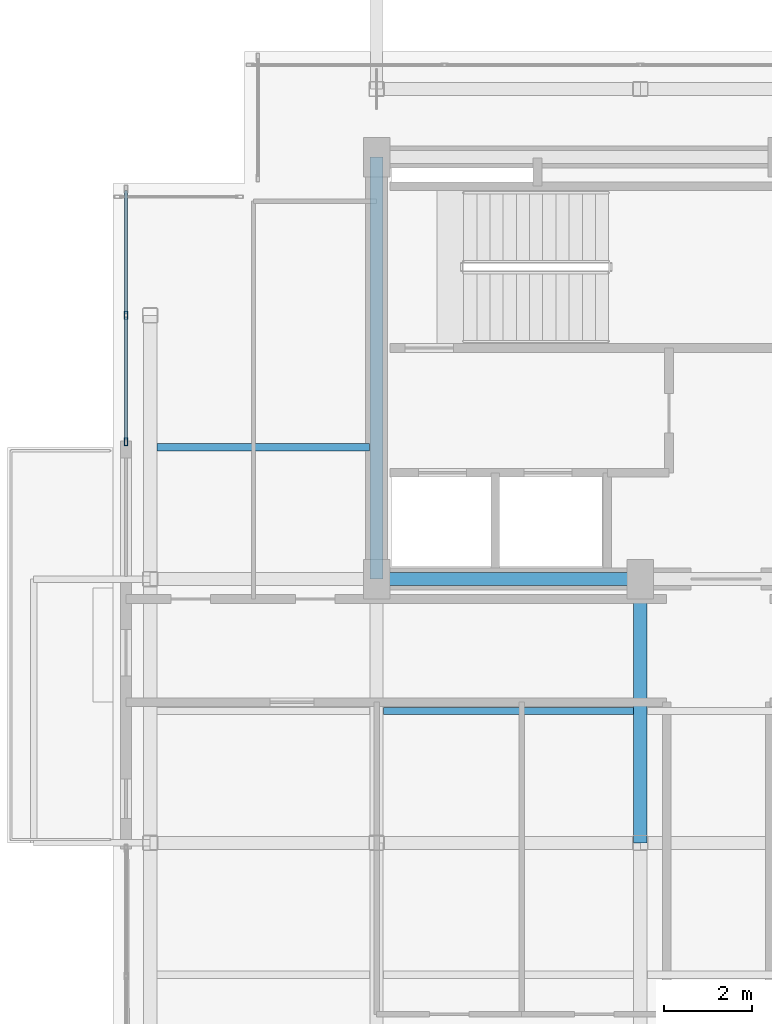
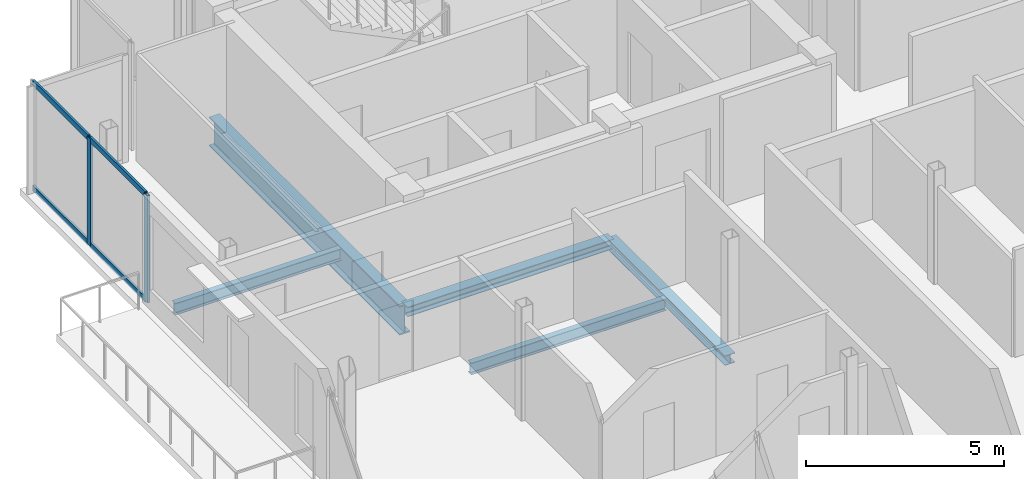
# One storey, part 7 of 18: 6 members, 5 beams, 1 element without a shape of its own.
"""IFC4 building model written with IfcOpenShell, lengths in metres."""

from ifc_helpers import new_model, si_unit, direction, frame, origin, origin_2d, place, context, subcontext, project, spatial, hollow_rectangle, i_section, extrude, material, layer, layer_set, material_profile, profile_set, type_object, element, aggregate, save


model = new_model("IFC4")

# Units and contexts
model_context = context("Model", 3, precision=1e-05, world=origin(), true_north=direction((0.0, 1.0)))
body_context = subcontext(model_context, "Body", "Model", "MODEL_VIEW")
ifc_project = project(units=[si_unit("LENGTHUNIT", "METRE"), si_unit("AREAUNIT", "SQUARE_METRE"), si_unit("VOLUMEUNIT", "CUBIC_METRE"), si_unit("PLANEANGLEUNIT", "RADIAN"), si_unit("MASSUNIT", "GRAM", prefix="KILO"), si_unit("THERMODYNAMICTEMPERATUREUNIT", "KELVIN"), si_unit("POWERUNIT", "WATT")], contexts=[model_context])

# Site, building, storey
site_placement = place(None, origin())
site = spatial("IfcSite", under=ifc_project, at=site_placement, CompositionType="ELEMENT")
building_placement = place(site_placement, origin())
building = spatial("IfcBuilding", under=site, at=building_placement, Name="Svarakhadi Broadcast Tower", CompositionType="ELEMENT")
storey_placement = place(building_placement, frame((0.0, 0.0, 250.199951171875)))
storey = spatial("IfcBuildingStorey", under=building, at=storey_placement, Name="L62", CompositionType="ELEMENT", Elevation=250.199951171875)

# Beams
ifc_material_1 = material(Name="Steel S355J2 (IS 2062 E350C)", Category="steel")
ifc_material_profile_1 = material_profile(ifc_material_1, i_section(OverallWidth=0.169921875, OverallDepth=0.360107421875, WebThickness=0.008056640625, FlangeThickness=0.0126953125, FilletRadius=0.01806640625, at=origin_2d()), Name="NPB 360x170x57")
ifc_profile_set_1 = profile_set([ifc_material_profile_1], Name="Steel S355J2 (IS 2062 E350C)")
beam_type_1 = type_object("IfcBeamType", Name="Beam_NPB360", PredefinedType="BEAM", material=ifc_profile_set_1)
beam_1_placement = place(storey_placement, frame((1.010009765625, 21.0, -0.3798828125), z_axis=(1.0, 0.0, 0.0), x_axis=(0.0, 1.0, 0.0)))
element("IfcBeam", 1, at=beam_1_placement, inside=storey, type_object=beam_type_1, Name="L62 Secondary Composite Beam SB003", PredefinedType="BEAM", context=body_context, shape_type="SweptSolid", body=[
    extrude(i_section(OverallWidth=0.169921875, OverallDepth=0.360107421875, WebThickness=0.008056640625, FlangeThickness=0.0126953125, FilletRadius=0.01806640625, at=origin_2d()), origin(), (0.0, 0.0, 1.0), 4.830078125),
])
beam_2_placement = place(storey_placement, frame((6.159912109375, 15.0, -0.3798828125), z_axis=(1.0, 0.0, 0.0), x_axis=(0.0, 1.0, 0.0)))
element("IfcBeam", 2, at=beam_2_placement, inside=storey, type_object=beam_type_1, Name="L62 Secondary Composite Beam SB006", PredefinedType="BEAM", context=body_context, shape_type="SweptSolid", body=[
    extrude(i_section(OverallWidth=0.169921875, OverallDepth=0.360107421875, WebThickness=0.008056640625, FlangeThickness=0.0126953125, FilletRadius=0.01806640625, at=origin_2d()), origin(), (0.0, 0.0, 1.0), 5.68017578125),
])

# Curtain wall, members
ifc_material_2 = material(Name="Anodised Bronze Aluminium AA 6063-T6", Category="aluminium")
ifc_layer = layer(ifc_material_2, 0.179931640625)
ifc_layer_set = layer_set([ifc_layer], Name="Anodised Bronze Aluminium AA 6063-T6")
curtain_wall_type = type_object("IfcCurtainWallType", Name="CW_Sys_05", PredefinedType="NOTDEFINED", material=ifc_layer_set)
curtain_wall_placement = place(storey_placement, origin())
curtain_wall = element("IfcCurtainWall", 3, at=curtain_wall_placement, inside=storey, type_object=curtain_wall_type, Name="L62 West Curtain Wall 03", PredefinedType="NOTDEFINED")
ifc_material_profile_2 = material_profile(ifc_material_2, hollow_rectangle(XDim=0.070068359375, YDim=0.179931640625, WallThickness=0.005615234375, at=origin_2d()), Name="ALU MULLION 180x70x6")
ifc_profile_set_2 = profile_set([ifc_material_profile_2], Name="Anodised Bronze Aluminium AA 6063-T6")
member_type_1 = type_object("IfcMemberType", Name="CW_Sys_05_Mul", PredefinedType="MULLION", material=ifc_profile_set_2)
member_1_placement = place(storey_placement, frame((0.300048828125, 21.125, 0.0), z_axis=(0.0, 0.0, 1.0), x_axis=(-1.0, 0.0, 0.0)))
member_1 = element("IfcMember", 4, at=member_1_placement, type_object=member_type_1, Name="CW-05 mullion 1", PredefinedType="MULLION", context=body_context, shape_type="SweptSolid", body=[
    extrude(hollow_rectangle(XDim=0.070068359375, YDim=0.179931640625, WallThickness=0.005615234375, at=origin_2d()), origin(), (0.0, 0.0, 1.0), 3.300048828125),
])
member_2_placement = place(storey_placement, frame((0.300048828125, 24.0, 0.0), z_axis=(0.0, 0.0, 1.0), x_axis=(-1.0, 0.0, 0.0)))
member_2 = element("IfcMember", 5, at=member_2_placement, type_object=member_type_1, Name="CW-05 mullion 2", PredefinedType="MULLION", context=body_context, shape_type="SweptSolid", body=[
    extrude(hollow_rectangle(XDim=0.070068359375, YDim=0.179931640625, WallThickness=0.005615234375, at=origin_2d()), origin(), (0.0, 0.0, 1.0), 3.300048828125),
])
ifc_material_profile_3 = material_profile(ifc_material_2, hollow_rectangle(XDim=0.06494140625, YDim=0.1650390625, WallThickness=0.0048828125, at=origin_2d()), Name="ALU TRANSOM 165x65x5")
ifc_profile_set_3 = profile_set([ifc_material_profile_3], Name="Anodised Bronze Aluminium AA 6063-T6")
member_type_2 = type_object("IfcMemberType", Name="CW_Sys_05_Trn", PredefinedType="USERDEFINED", material=ifc_profile_set_3)
member_3_placement = place(storey_placement, frame((0.300048828125, 21.159912109375, 0.032470703125), z_axis=(0.0, 1.0, 0.0), x_axis=(-1.0, 0.0, 0.0)))
member_3 = element("IfcMember", 6, at=member_3_placement, type_object=member_type_2, Name="CW-05 transom 1.1", ObjectType="TRANSOM", PredefinedType="USERDEFINED", context=body_context, shape_type="SweptSolid", body=[
    extrude(hollow_rectangle(XDim=0.06494140625, YDim=0.1650390625, WallThickness=0.0048828125, at=origin_2d()), origin(), (0.0, 0.0, 1.0), 2.80517578125),
])
member_4_placement = place(storey_placement, frame((0.300048828125, 21.159912109375, 3.267578125), z_axis=(0.0, 1.0, 0.0), x_axis=(-1.0, 0.0, 0.0)))
member_4 = element("IfcMember", 7, at=member_4_placement, type_object=member_type_2, Name="CW-05 transom 1.2", ObjectType="TRANSOM", PredefinedType="USERDEFINED", context=body_context, shape_type="SweptSolid", body=[
    extrude(hollow_rectangle(XDim=0.06494140625, YDim=0.1650390625, WallThickness=0.0048828125, at=origin_2d()), origin(), (0.0, 0.0, 1.0), 2.80517578125),
])
member_5_placement = place(storey_placement, frame((0.300048828125, 24.034912109375, 0.032470703125), z_axis=(0.0, 1.0, 0.0), x_axis=(-1.0, 0.0, 0.0)))
member_5 = element("IfcMember", 8, at=member_5_placement, type_object=member_type_2, Name="CW-05 transom 2.1", ObjectType="TRANSOM", PredefinedType="USERDEFINED", context=body_context, shape_type="SweptSolid", body=[
    extrude(hollow_rectangle(XDim=0.06494140625, YDim=0.1650390625, WallThickness=0.0048828125, at=origin_2d()), origin(), (0.0, 0.0, 1.0), 2.80517578125),
])
member_6_placement = place(storey_placement, frame((0.300048828125, 24.034912109375, 3.267578125), z_axis=(0.0, 1.0, 0.0), x_axis=(-1.0, 0.0, 0.0)))
member_6 = element("IfcMember", 9, at=member_6_placement, type_object=member_type_2, Name="CW-05 transom 2.2", ObjectType="TRANSOM", PredefinedType="USERDEFINED", context=body_context, shape_type="SweptSolid", body=[
    extrude(hollow_rectangle(XDim=0.06494140625, YDim=0.1650390625, WallThickness=0.0048828125, at=origin_2d()), origin(), (0.0, 0.0, 1.0), 2.80517578125),
])
aggregate(curtain_wall, [member_1, member_2, member_3, member_4, member_5, member_6])

# Beams
ifc_material_profile_4 = material_profile(ifc_material_1, i_section(OverallWidth=0.300048828125, OverallDepth=0.300048828125, WebThickness=0.010986328125, FlangeThickness=0.01904296875, FilletRadius=0.027099609375, at=origin_2d()), Name="WPB 300x300x117")
ifc_profile_set_4 = profile_set([ifc_material_profile_4], Name="Steel S355J2 (IS 2062 E350C)")
beam_type_2 = type_object("IfcBeamType", Name="Girder_WPB300", PredefinedType="USERDEFINED", material=ifc_profile_set_4)
for number, where, z_axis, x_axis, name in (
    (10, (6.0, 18.0, -0.349853515625), (1.0, 0.0, 0.0), (0.0, 1.0, 0.0), "L62 Primary E-W Girder G018"),
    (11, (12.0, 12.0, -0.349853515625), (0.0, 1.0, 0.0), (-1.0, 0.0, 0.0), "L62 Primary N-S Girder G035"),
):
    element("IfcBeam", number, at=place(storey_placement, frame(where, z_axis=z_axis, x_axis=x_axis)), inside=storey, type_object=beam_type_2, Name=name, ObjectType="GIRDER", PredefinedType="USERDEFINED", context=body_context, shape_type="SweptSolid", body=[
        extrude(i_section(OverallWidth=0.300048828125, OverallDepth=0.300048828125, WebThickness=0.010986328125, FlangeThickness=0.01904296875, FilletRadius=0.027099609375, at=origin_2d()), origin(), (0.0, 0.0, 1.0), 6.0),
    ])
ifc_material_3 = material(Name="Steel S460ML (IS 2062 E450BR)", Category="steel")
ifc_material_profile_5 = material_profile(ifc_material_3, i_section(OverallWidth=0.300048828125, OverallDepth=0.89990234375, WebThickness=0.0185546875, FlangeThickness=0.034912109375, FilletRadius=0.030029296875, at=origin_2d()), Name="WPB 900x300x291")
ifc_profile_set_5 = profile_set([ifc_material_profile_5], Name="Steel S460ML (IS 2062 E450BR)")
beam_type_3 = type_object("IfcBeamType", Name="Girder_WPB900", PredefinedType="USERDEFINED", material=ifc_profile_set_5)
beam_3_placement = place(storey_placement, frame((6.0, 18.0, -0.64990234375), z_axis=(0.0, 1.0, 0.0), x_axis=(-1.0, 0.0, 0.0)))
element("IfcBeam", 12, at=beam_3_placement, inside=storey, type_object=beam_type_3, Name="L62 Primary N-S Girder G032", ObjectType="GIRDER", PredefinedType="USERDEFINED", context=body_context, shape_type="SweptSolid", body=[
    extrude(i_section(OverallWidth=0.300048828125, OverallDepth=0.89990234375, WebThickness=0.0185546875, FlangeThickness=0.034912109375, FilletRadius=0.030029296875, at=origin_2d()), origin(), (0.0, 0.0, 1.0), 9.60009765625),
])

save(model, "model.ifc")
